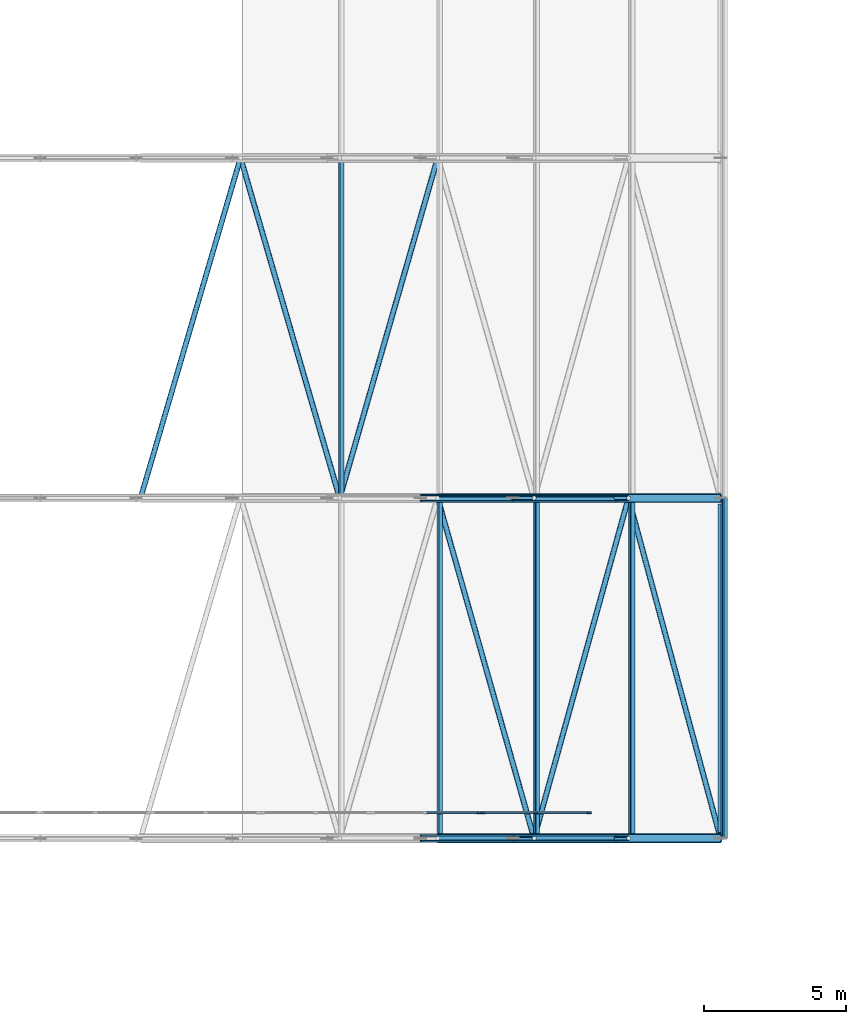
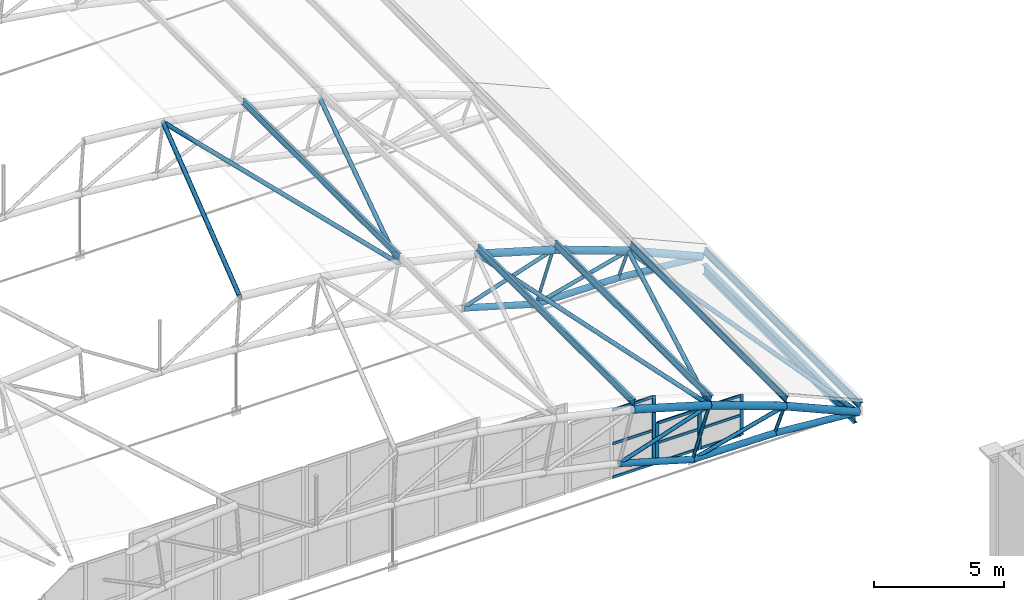
# One storey, part 128 of 321: 44 members, 1 beam, 2 elements without a shape of their own.
"""IFC4 building model written with IfcOpenShell, lengths in metres."""

from ifc_helpers import new_model, si_unit, direction, frame, origin, origin_2d, place, context, subcontext, project, spatial, rectangle, hollow_circle, i_section, extrude, material, layer, layer_set, material_profile, profile_set, type_object, element, aggregate, save


model = new_model("IFC4")

# Units and contexts
model_context = context("Model", 3, precision=1e-05, world=origin(), true_north=direction((0.0, 1.0)))
body_context = subcontext(model_context, "Body", "Model", "MODEL_VIEW")
ifc_project = project(units=[si_unit("LENGTHUNIT", "METRE"), si_unit("AREAUNIT", "SQUARE_METRE"), si_unit("VOLUMEUNIT", "CUBIC_METRE"), si_unit("PLANEANGLEUNIT", "RADIAN"), si_unit("MASSUNIT", "GRAM", prefix="KILO")], contexts=[model_context])

# Site, building, storey
site_placement = place(None, origin())
site = spatial("IfcSite", under=ifc_project, at=site_placement, CompositionType="ELEMENT")
building_placement = place(site_placement, origin())
building = spatial("IfcBuilding", under=site, at=building_placement, Name="Ravi Spectrum Wholesale Market", CompositionType="ELEMENT")
storey_placement = place(building_placement, frame((0.0, 0.0, 10.800048828125)))
storey = spatial("IfcBuildingStorey", under=building, at=storey_placement, Name="L02", CompositionType="ELEMENT", Elevation=10.800048828125)

# Members
ifc_material_1 = material(Name="Steel S355", Category="steel")
ifc_material_profile_1 = material_profile(ifc_material_1, hollow_circle(Radius=0.06982421875, WallThickness=0.0048828125, at=origin_2d()))
ifc_profile_set_1 = profile_set([ifc_material_profile_1], Name="Steel S355")
member_type_1 = type_object("IfcMemberType", Name="CHS 139.7x5 post", PredefinedType="POST", material=ifc_profile_set_1)
member_1_placement = place(storey_placement, frame((191.422119140625, 78.0, 2.62255859375), z_axis=(-0.310973905747, 0.0, -0.950418449918), x_axis=(0.0, -1.0, 0.0)))
element("IfcMember", 1, at=member_1_placement, inside=storey, type_object=member_type_1, Name="H2-MB-L02-040", PredefinedType="POST", context=body_context, shape_type="SweptSolid", body=[
    extrude(hollow_circle(Radius=0.06982421875, WallThickness=0.0048828125, at=origin_2d()), origin(), (0.0, 0.0, 1.0), 2.39990234375),
])
member_2_placement = place(storey_placement, frame((194.75244140625, 78.0, 1.415283203125), z_axis=(-0.370337942638, 0.0, -0.928897092386), x_axis=(0.0, -1.0, 0.0)))
element("IfcMember", 2, at=member_2_placement, inside=storey, type_object=member_type_1, Name="H2-MB-L02-041", PredefinedType="POST", context=body_context, shape_type="SweptSolid", body=[
    extrude(hollow_circle(Radius=0.06982421875, WallThickness=0.0048828125, at=origin_2d()), origin(), (0.0, 0.0, 1.0), 1.19970703125),
])
member_3_placement = place(storey_placement, frame((191.422119140625, 90.0, 2.62255859375), z_axis=(-0.310973905747, 0.0, -0.950418449918), x_axis=(0.0, -1.0, 0.0)))
element("IfcMember", 3, at=member_3_placement, inside=storey, type_object=member_type_1, Name="H2-MB-L02-096", PredefinedType="POST", context=body_context, shape_type="SweptSolid", body=[
    extrude(hollow_circle(Radius=0.06982421875, WallThickness=0.0048828125, at=origin_2d()), origin(), (0.0, 0.0, 1.0), 2.39990234375),
])
member_4_placement = place(storey_placement, frame((194.75244140625, 90.0, 1.415283203125), z_axis=(-0.370337942638, 0.0, -0.928897092386), x_axis=(0.0, -1.0, 0.0)))
element("IfcMember", 4, at=member_4_placement, inside=storey, type_object=member_type_1, Name="H2-MB-L02-097", PredefinedType="POST", context=body_context, shape_type="SweptSolid", body=[
    extrude(hollow_circle(Radius=0.06982421875, WallThickness=0.0048828125, at=origin_2d()), origin(), (0.0, 0.0, 1.0), 1.19970703125),
])
ifc_material_2 = material(Name="Steel S355", Category="steel")
ifc_material_profile_2 = material_profile(ifc_material_2, hollow_circle(Radius=0.084228515625, WallThickness=0.00634765625, at=origin_2d()))
ifc_profile_set_2 = profile_set([ifc_material_profile_2], Name="Steel S355")
member_type_2 = type_object("IfcMemberType", Name="CHS 168.3x6.3 brace", PredefinedType="BRACE", material=ifc_profile_set_2)
member_5_placement = place(storey_placement, frame((191.422119140625, 78.0, 2.62255859375), z_axis=(-0.949001331945, 0.0, -0.315272060237), x_axis=(0.0, -1.0, 0.0)))
element("IfcMember", 5, at=member_5_placement, inside=storey, type_object=member_type_2, Name="H2-MB-L02-052", PredefinedType="BRACE", context=body_context, shape_type="SweptSolid", body=[
    extrude(hollow_circle(Radius=0.084228515625, WallThickness=0.00634765625, at=origin_2d()), origin(), (0.0, 0.0, 1.0), 4.2158203125),
])
member_6_placement = place(storey_placement, frame((194.75244140625, 78.0, 1.415283203125), z_axis=(-0.96702050396, 0.0, -0.254698537335), x_axis=(0.0, -1.0, 0.0)))
element("IfcMember", 6, at=member_6_placement, inside=storey, type_object=member_type_2, Name="H2-MB-L02-053", PredefinedType="BRACE", context=body_context, shape_type="SweptSolid", body=[
    extrude(hollow_circle(Radius=0.084228515625, WallThickness=0.00634765625, at=origin_2d()), origin(), (0.0, 0.0, 1.0), 4.215576171875),
])
member_7_placement = place(storey_placement, frame((191.422119140625, 90.0, 2.62255859375), z_axis=(-0.949001331945, 0.0, -0.315272060237), x_axis=(0.0, -1.0, 0.0)))
element("IfcMember", 7, at=member_7_placement, inside=storey, type_object=member_type_2, Name="H2-MB-L02-108", PredefinedType="BRACE", context=body_context, shape_type="SweptSolid", body=[
    extrude(hollow_circle(Radius=0.084228515625, WallThickness=0.00634765625, at=origin_2d()), origin(), (0.0, 0.0, 1.0), 4.2158203125),
])
member_8_placement = place(storey_placement, frame((194.75244140625, 90.0, 1.415283203125), z_axis=(-0.96702050396, 0.0, -0.254698537335), x_axis=(0.0, -1.0, 0.0)))
element("IfcMember", 8, at=member_8_placement, inside=storey, type_object=member_type_2, Name="H2-MB-L02-109", PredefinedType="BRACE", context=body_context, shape_type="SweptSolid", body=[
    extrude(hollow_circle(Radius=0.084228515625, WallThickness=0.00634765625, at=origin_2d()), origin(), (0.0, 0.0, 1.0), 4.215576171875),
])
ifc_material_3 = material(Name="Steel S355", Category="steel")
ifc_material_profile_3 = material_profile(ifc_material_3, hollow_circle(Radius=0.096923828125, WallThickness=0.00634765625, at=origin_2d()))
ifc_profile_set_3 = profile_set([ifc_material_profile_3], Name="Steel S355")
member_type_3 = type_object("IfcMemberType", Name="CHS 193.7x6.3 brace", PredefinedType="BRACE", material=ifc_profile_set_3)
for number, where, z_axis, x_axis, name in (
    (9, (188.02197265625, 90.0, 3.6171875), (0.271750717497, -0.959078858792, -0.079493963027), (0.962123645882, 0.27261344434, 0.0), "H2-MB-L02-352"),
    (10, (191.422119140625, 78.0, 2.62255859375), (0.266171604167, 0.959084135183, -0.096489889495), (-0.963580234601, 0.267419392501, 0.0), "H2-MB-L02-353"),
    (11, (194.75244140625, 90.0, 1.415283203125), (0.259555912647, -0.959080756158, -0.113114240386), (0.965275907669, 0.261232505774, 0.0), "H2-MB-L02-354"),
    (12, (177.540771484375, 90.0, 5.2880859375), (0.281858742221, 0.959080712886, -0.026829752202), (-0.95942608958, 0.281960243001, 0.0), "H2-MB-L02-363"),
    (13, (181.0673828125, 102.0, 4.952392578125), (0.279595912335, -0.959082858756, -0.04456675719), (0.960036743137, 0.279873992766, 0.0), "H2-MB-L02-364"),
    (14, (184.565673828125, 90.0, 4.394775390625), (0.276238275492, 0.959077750723, -0.062147270427), (-0.960935248046, 0.276773280977, 0.0), "H2-MB-L02-365"),
):
    element("IfcMember", number, at=place(storey_placement, frame(where, z_axis=z_axis, x_axis=x_axis)), inside=storey, type_object=member_type_3, Name=name, PredefinedType="BRACE", context=body_context, shape_type="SweptSolid", body=[
        extrude(hollow_circle(Radius=0.096923828125, WallThickness=0.00634765625, at=origin_2d()), origin(), (0.0, 0.0, 1.0), 12.511962890625),
    ])
ifc_material_4 = material(Name="Steel S355", Category="steel")
ifc_material_profile_4 = material_profile(ifc_material_4, hollow_circle(Radius=0.136474609375, WallThickness=0.010009765625, at=origin_2d()))
ifc_profile_set_4 = profile_set([ifc_material_profile_4], Name="Steel S355")
member_type_4 = type_object("IfcMemberType", Name="CHS 273x10 chord", PredefinedType="CHORD", material=ifc_profile_set_4)
member_9_placement = place(storey_placement, frame((187.42138671875, 78.0, 1.29345703125), z_axis=(0.959785210249, 0.0, -0.280735373951), x_axis=(0.0, 1.0, 0.0)))
element("IfcMember", 15, at=member_9_placement, inside=storey, type_object=member_type_4, Name="H2-MB-L02-026", PredefinedType="CHORD", context=body_context, shape_type="SweptSolid", body=[
    extrude(hollow_circle(Radius=0.136474609375, WallThickness=0.010009765625, at=origin_2d()), origin(), (0.0, 0.0, 1.0), 3.390869140625),
])
member_10_placement = place(storey_placement, frame((190.67578125, 78.0, 0.341552734375), z_axis=(0.999937009827, 0.0, -0.011223919925), x_axis=(0.0, 1.0, 0.0)))
element("IfcMember", 16, at=member_10_placement, inside=storey, type_object=member_type_4, Name="H2-MB-L02-027", PredefinedType="CHORD", context=body_context, shape_type="SweptSolid", body=[
    extrude(hollow_circle(Radius=0.136474609375, WallThickness=0.010009765625, at=origin_2d()), origin(), (0.0, 0.0, 1.0), 3.632568359375),
])
member_11_placement = place(storey_placement, frame((194.30810546875, 78.0, 0.30078125), z_axis=(0.996697692296, 0.0, -0.081201663597), x_axis=(0.0, 1.0, 0.0)))
element("IfcMember", 17, at=member_11_placement, inside=storey, type_object=member_type_4, Name="H2-MB-L02-028", PredefinedType="CHORD", context=body_context, shape_type="SweptSolid", body=[
    extrude(hollow_circle(Radius=0.136474609375, WallThickness=0.010009765625, at=origin_2d()), origin(), (0.0, 0.0, 1.0), 3.7041015625),
])
member_12_placement = place(storey_placement, frame((187.42138671875, 90.0, 1.29345703125), z_axis=(0.959785210249, 0.0, -0.280735373951), x_axis=(0.0, 1.0, 0.0)))
element("IfcMember", 18, at=member_12_placement, inside=storey, type_object=member_type_4, Name="H2-MB-L02-082", PredefinedType="CHORD", context=body_context, shape_type="SweptSolid", body=[
    extrude(hollow_circle(Radius=0.136474609375, WallThickness=0.010009765625, at=origin_2d()), origin(), (0.0, 0.0, 1.0), 3.390869140625),
])
member_13_placement = place(storey_placement, frame((190.67578125, 90.0, 0.341552734375), z_axis=(0.999937009827, 0.0, -0.011223919925), x_axis=(0.0, 1.0, 0.0)))
element("IfcMember", 19, at=member_13_placement, inside=storey, type_object=member_type_4, Name="H2-MB-L02-083", PredefinedType="CHORD", context=body_context, shape_type="SweptSolid", body=[
    extrude(hollow_circle(Radius=0.136474609375, WallThickness=0.010009765625, at=origin_2d()), origin(), (0.0, 0.0, 1.0), 3.632568359375),
])
member_14_placement = place(storey_placement, frame((194.30810546875, 90.0, 0.30078125), z_axis=(0.996697692296, 0.0, -0.081201663597), x_axis=(0.0, 1.0, 0.0)))
element("IfcMember", 20, at=member_14_placement, inside=storey, type_object=member_type_4, Name="H2-MB-L02-084", PredefinedType="CHORD", context=body_context, shape_type="SweptSolid", body=[
    extrude(hollow_circle(Radius=0.136474609375, WallThickness=0.010009765625, at=origin_2d()), origin(), (0.0, 0.0, 1.0), 3.7041015625),
])
ifc_material_5 = material(Name="Steel S355", Category="steel")
ifc_material_profile_5 = material_profile(ifc_material_5, hollow_circle(Radius=0.161865234375, WallThickness=0.010009765625, at=origin_2d()))
ifc_profile_set_5 = profile_set([ifc_material_profile_5], Name="Steel S355")
member_type_5 = type_object("IfcMemberType", Name="CHS 323.9x10 chord", PredefinedType="CHORD", material=ifc_profile_set_5)
member_15_placement = place(storey_placement, frame((188.02197265625, 78.0, 3.6171875), z_axis=(0.959778179425, 0.0, -0.280759409993), x_axis=(0.0, 1.0, 0.0)))
element("IfcMember", 21, at=member_15_placement, inside=storey, type_object=member_type_5, Name="H2-MB-L02-012", PredefinedType="CHORD", context=body_context, shape_type="SweptSolid", body=[
    extrude(hollow_circle(Radius=0.161865234375, WallThickness=0.010009765625, at=origin_2d()), origin(), (0.0, 0.0, 1.0), 3.542724609375),
])
for number, where, z_axis, x_axis, name in (
    (22, (191.422119140625, 78.0, 2.62255859375), (0.940133028891, 0.0, -0.340807699426), (0.0, 1.0, 0.0), "H2-MB-L02-013"),
    (23, (194.75244140625, 78.0, 1.415283203125), (0.916728973025, 0.0, -0.399509687012), (0.0, 1.0, 0.0), "H2-MB-L02-014"),
):
    element("IfcMember", number, at=place(storey_placement, frame(where, z_axis=z_axis, x_axis=x_axis)), inside=storey, type_object=member_type_5, Name=name, PredefinedType="CHORD", context=body_context, shape_type="SweptSolid", body=[
        extrude(hollow_circle(Radius=0.161865234375, WallThickness=0.010009765625, at=origin_2d()), origin(), (0.0, 0.0, 1.0), 3.54248046875),
    ])
member_16_placement = place(storey_placement, frame((188.02197265625, 90.0, 3.6171875), z_axis=(0.959778179425, 0.0, -0.280759409993), x_axis=(0.0, 1.0, 0.0)))
element("IfcMember", 24, at=member_16_placement, inside=storey, type_object=member_type_5, Name="H2-MB-L02-068", PredefinedType="CHORD", context=body_context, shape_type="SweptSolid", body=[
    extrude(hollow_circle(Radius=0.161865234375, WallThickness=0.010009765625, at=origin_2d()), origin(), (0.0, 0.0, 1.0), 3.542724609375),
])
for number, where, z_axis, x_axis, name in (
    (25, (191.422119140625, 90.0, 2.62255859375), (0.940133028891, 0.0, -0.340807699426), (0.0, 1.0, 0.0), "H2-MB-L02-069"),
    (26, (194.75244140625, 90.0, 1.415283203125), (0.916728973025, 0.0, -0.399509687012), (0.0, 1.0, 0.0), "H2-MB-L02-070"),
):
    element("IfcMember", number, at=place(storey_placement, frame(where, z_axis=z_axis, x_axis=x_axis)), inside=storey, type_object=member_type_5, Name=name, PredefinedType="CHORD", context=body_context, shape_type="SweptSolid", body=[
        extrude(hollow_circle(Radius=0.161865234375, WallThickness=0.010009765625, at=origin_2d()), origin(), (0.0, 0.0, 1.0), 3.54248046875),
    ])
ifc_material_6 = material(Name="Steel S355", Category="steel")
ifc_material_profile_6 = material_profile(ifc_material_6, i_section(OverallWidth=0.135009765625, OverallDepth=0.27001953125, WebThickness=0.006591796875, FlangeThickness=0.01025390625, at=origin_2d()))
ifc_profile_set_6 = profile_set([ifc_material_profile_6], Name="Steel S355")
member_type_6 = type_object("IfcMemberType", Name="IPE 270 purlin", PredefinedType="PURLIN", material=ifc_profile_set_6)
for number, where, z_axis, x_axis, name in (
    (27, (188.09619140625, 78.0, 3.904541015625), (0.0, 1.0, 0.0), (-0.968183171472, 0.0, 0.250242575271), "H2-MB-L02-292"),
    (28, (191.514404296875, 78.0, 2.90478515625), (0.0, 1.0, 0.0), (-0.950435264979, 0.0, 0.310922509774), "H2-MB-L02-293"),
    (29, (194.862548828125, 78.0, 1.691162109375), (0.0, 1.0, 0.0), (-0.928888434673, 0.0, 0.370359657536), "H2-MB-L02-294"),
    (30, (198.127197265625, 78.0, 0.268310546875), (0.0, 1.0, 0.0), (-0.903628792263, 0.0, 0.428316478545), "H2-MB-L02-295"),
    (31, (184.621826171875, 90.0, 4.6865234375), (0.0, 1.0, 0.0), (-0.982061208549, 0.0, 0.188562410526), "H2-MB-L02-306"),
):
    element("IfcMember", number, at=place(storey_placement, frame(where, z_axis=z_axis, x_axis=x_axis)), inside=storey, type_object=member_type_6, Name=name, PredefinedType="PURLIN", context=body_context, shape_type="SweptSolid", body=[
        extrude(i_section(OverallWidth=0.135009765625, OverallDepth=0.27001953125, WebThickness=0.006591796875, FlangeThickness=0.01025390625, at=origin_2d()), origin(), (0.0, 0.0, 1.0), 12.0),
    ])

# Beam
ifc_material_7 = material(Name="Steel S355", Category="steel")
ifc_material_profile_7 = material_profile(ifc_material_7, i_section(OverallWidth=0.18994140625, OverallDepth=0.449951171875, WebThickness=0.009521484375, FlangeThickness=0.0146484375, at=origin_2d()))
ifc_profile_set_7 = profile_set([ifc_material_profile_7], Name="Steel S355")
beam_type = type_object("IfcBeamType", Name="IPE 450 girder", PredefinedType="BEAM", material=ifc_profile_set_7)
beam_placement = place(storey_placement, frame((198.0, 78.203125, -0.425048828125), z_axis=(0.0, 1.0, 0.0), x_axis=(-1.0, 0.0, 0.0)))
element("IfcBeam", 32, at=beam_placement, inside=storey, type_object=beam_type, Name="H2-BM-L02-005", PredefinedType="BEAM", context=body_context, shape_type="SweptSolid", body=[
    extrude(i_section(OverallWidth=0.18994140625, OverallDepth=0.449951171875, WebThickness=0.009521484375, FlangeThickness=0.0146484375, at=origin_2d()), origin(), (0.0, 0.0, 1.0), 11.59375),
])

# Curtain wall, member
ifc_material_8 = material(Name="Aluminium 6063-T6", Category="aluminium")
ifc_layer = layer(ifc_material_8, 0.14990234375)
ifc_layer_set = layer_set([ifc_layer], Name="Aluminium 6063-T6")
curtain_wall_type = type_object("IfcCurtainWallType", Name="Curtain wall 150", PredefinedType="NOTDEFINED", material=ifc_layer_set)
curtain_wall_1_placement = place(storey_placement, origin())
curtain_wall_1 = element("IfcCurtainWall", 33, at=curtain_wall_1_placement, inside=storey, type_object=curtain_wall_type, Name="H2-CW-L02-009", PredefinedType="NOTDEFINED")
ifc_material_9 = material(Name="Aluminium 6063-T6", Category="aluminium")
ifc_material_profile_8 = material_profile(ifc_material_9, rectangle(XDim=0.06005859375, YDim=0.159912109375, at=origin_2d()))
ifc_profile_set_8 = profile_set([ifc_material_profile_8], Name="Aluminium 6063-T6")
member_type_7 = type_object("IfcMemberType", Name="Mullion 60 x 160", PredefinedType="MULLION", material=ifc_profile_set_8)
member_17_placement = place(storey_placement, frame((189.474609375, 78.89990234375, 0.0), z_axis=(0.0, 0.0, 1.0), x_axis=(0.0, 1.0, 0.0)))
member_17 = element("IfcMember", 34, at=member_17_placement, type_object=member_type_7, Name="H2-CW-L02-009 mullion 3", PredefinedType="MULLION", context=body_context, shape_type="SweptSolid", body=[
    extrude(rectangle(XDim=0.06005859375, YDim=0.159912109375, at=origin_2d()), origin(), (0.0, 0.0, 1.0), 3.199951171875),
])

# Curtain wall, members
curtain_wall_2_placement = place(storey_placement, origin())
curtain_wall_2 = element("IfcCurtainWall", 35, at=curtain_wall_2_placement, inside=storey, type_object=curtain_wall_type, Name="H2-CW-L02-010", PredefinedType="NOTDEFINED")
member_18_placement = place(storey_placement, frame((189.614501953125, 78.89990234375, 0.0), z_axis=(0.0, 0.0, 1.0), x_axis=(0.0, 1.0, 0.0)))
member_18 = element("IfcMember", 36, at=member_18_placement, type_object=member_type_7, Name="H2-CW-L02-010 mullion 1", PredefinedType="MULLION", context=body_context, shape_type="SweptSolid", body=[
    extrude(rectangle(XDim=0.06005859375, YDim=0.159912109375, at=origin_2d()), origin(), (0.0, 0.0, 1.0), 1.89990234375),
])
member_19_placement = place(storey_placement, frame((191.487548828125, 78.89990234375, 0.0), z_axis=(0.0, 0.0, 1.0), x_axis=(0.0, 1.0, 0.0)))
member_19 = element("IfcMember", 37, at=member_19_placement, type_object=member_type_7, Name="H2-CW-L02-010 mullion 2", PredefinedType="MULLION", context=body_context, shape_type="SweptSolid", body=[
    extrude(rectangle(XDim=0.06005859375, YDim=0.159912109375, at=origin_2d()), origin(), (0.0, 0.0, 1.0), 1.89990234375),
])
member_20_placement = place(storey_placement, frame((193.360595703125, 78.89990234375, 0.0), z_axis=(0.0, 0.0, 1.0), x_axis=(0.0, 1.0, 0.0)))
member_20 = element("IfcMember", 38, at=member_20_placement, type_object=member_type_7, Name="H2-CW-L02-010 mullion 3", PredefinedType="MULLION", context=body_context, shape_type="SweptSolid", body=[
    extrude(rectangle(XDim=0.06005859375, YDim=0.159912109375, at=origin_2d()), origin(), (0.0, 0.0, 1.0), 1.89990234375),
])

# Member
ifc_material_10 = material(Name="Aluminium 6063-T6", Category="aluminium")
ifc_material_profile_9 = material_profile(ifc_material_10, rectangle(XDim=0.06005859375, YDim=0.1201171875, at=origin_2d()))
ifc_profile_set_9 = profile_set([ifc_material_profile_9], Name="Aluminium 6063-T6")
member_type_8 = type_object("IfcMemberType", Name="Transom 60 x 120", PredefinedType="USERDEFINED", material=ifc_profile_set_9)
member_21_placement = place(storey_placement, frame((187.63134765625, 78.89990234375, 0.030029296875), z_axis=(1.0, 0.0, 0.0), x_axis=(0.0, 1.0, 0.0)))
member_21 = element("IfcMember", 39, at=member_21_placement, type_object=member_type_8, Name="H2-CW-L02-009 transom 2.1", ObjectType="TRANSOM", PredefinedType="USERDEFINED", context=body_context, shape_type="SweptSolid", body=[
    extrude(rectangle(XDim=0.06005859375, YDim=0.1201171875, at=origin_2d()), origin(), (0.0, 0.0, 1.0), 1.813232421875),
])

member_22_placement = place(storey_placement, frame((187.63134765625, 78.89990234375, 1.599853515625), z_axis=(1.0, 0.0, 0.0), x_axis=(0.0, 1.0, 0.0)))
member_22 = element("IfcMember", 40, at=member_22_placement, type_object=member_type_8, Name="H2-CW-L02-009 transom 2.2", ObjectType="TRANSOM", PredefinedType="USERDEFINED", context=body_context, shape_type="SweptSolid", body=[
    extrude(rectangle(XDim=0.06005859375, YDim=0.1201171875, at=origin_2d()), origin(), (0.0, 0.0, 1.0), 1.813232421875),
])

member_23_placement = place(storey_placement, frame((187.63134765625, 78.89990234375, 3.169921875), z_axis=(1.0, 0.0, 0.0), x_axis=(0.0, 1.0, 0.0)))
member_23 = element("IfcMember", 41, at=member_23_placement, type_object=member_type_8, Name="H2-CW-L02-009 transom 2.3", ObjectType="TRANSOM", PredefinedType="USERDEFINED", context=body_context, shape_type="SweptSolid", body=[
    extrude(rectangle(XDim=0.06005859375, YDim=0.1201171875, at=origin_2d()), origin(), (0.0, 0.0, 1.0), 1.813232421875),
])

aggregate(curtain_wall_1, [member_17, member_21, member_22, member_23])

member_24_placement = place(storey_placement, frame((189.64453125, 78.89990234375, 0.030029296875), z_axis=(1.0, 0.0, 0.0), x_axis=(0.0, 1.0, 0.0)))
member_24 = element("IfcMember", 42, at=member_24_placement, type_object=member_type_8, Name="H2-CW-L02-010 transom 1.1", ObjectType="TRANSOM", PredefinedType="USERDEFINED", context=body_context, shape_type="SweptSolid", body=[
    extrude(rectangle(XDim=0.06005859375, YDim=0.1201171875, at=origin_2d()), origin(), (0.0, 0.0, 1.0), 1.81298828125),
])

member_25_placement = place(storey_placement, frame((189.64453125, 78.89990234375, 0.949951171875), z_axis=(1.0, 0.0, 0.0), x_axis=(0.0, 1.0, 0.0)))
member_25 = element("IfcMember", 43, at=member_25_placement, type_object=member_type_8, Name="H2-CW-L02-010 transom 1.2", ObjectType="TRANSOM", PredefinedType="USERDEFINED", context=body_context, shape_type="SweptSolid", body=[
    extrude(rectangle(XDim=0.06005859375, YDim=0.1201171875, at=origin_2d()), origin(), (0.0, 0.0, 1.0), 1.81298828125),
])

member_26_placement = place(storey_placement, frame((189.64453125, 78.89990234375, 1.869873046875), z_axis=(1.0, 0.0, 0.0), x_axis=(0.0, 1.0, 0.0)))
member_26 = element("IfcMember", 44, at=member_26_placement, type_object=member_type_8, Name="H2-CW-L02-010 transom 1.3", ObjectType="TRANSOM", PredefinedType="USERDEFINED", context=body_context, shape_type="SweptSolid", body=[
    extrude(rectangle(XDim=0.06005859375, YDim=0.1201171875, at=origin_2d()), origin(), (0.0, 0.0, 1.0), 1.81298828125),
])

member_27_placement = place(storey_placement, frame((191.517578125, 78.89990234375, 0.030029296875), z_axis=(1.0, 0.0, 0.0), x_axis=(0.0, 1.0, 0.0)))
member_27 = element("IfcMember", 45, at=member_27_placement, type_object=member_type_8, Name="H2-CW-L02-010 transom 2.1", ObjectType="TRANSOM", PredefinedType="USERDEFINED", context=body_context, shape_type="SweptSolid", body=[
    extrude(rectangle(XDim=0.06005859375, YDim=0.1201171875, at=origin_2d()), origin(), (0.0, 0.0, 1.0), 1.81298828125),
])

member_28_placement = place(storey_placement, frame((191.517578125, 78.89990234375, 0.949951171875), z_axis=(1.0, 0.0, 0.0), x_axis=(0.0, 1.0, 0.0)))
member_28 = element("IfcMember", 46, at=member_28_placement, type_object=member_type_8, Name="H2-CW-L02-010 transom 2.2", ObjectType="TRANSOM", PredefinedType="USERDEFINED", context=body_context, shape_type="SweptSolid", body=[
    extrude(rectangle(XDim=0.06005859375, YDim=0.1201171875, at=origin_2d()), origin(), (0.0, 0.0, 1.0), 1.81298828125),
])

member_29_placement = place(storey_placement, frame((191.517578125, 78.89990234375, 1.869873046875), z_axis=(1.0, 0.0, 0.0), x_axis=(0.0, 1.0, 0.0)))
member_29 = element("IfcMember", 47, at=member_29_placement, type_object=member_type_8, Name="H2-CW-L02-010 transom 2.3", ObjectType="TRANSOM", PredefinedType="USERDEFINED", context=body_context, shape_type="SweptSolid", body=[
    extrude(rectangle(XDim=0.06005859375, YDim=0.1201171875, at=origin_2d()), origin(), (0.0, 0.0, 1.0), 1.81298828125),
])

aggregate(curtain_wall_2, [member_18, member_19, member_20, member_24, member_25, member_26, member_27, member_28, member_29])

save(model, "model.ifc")
